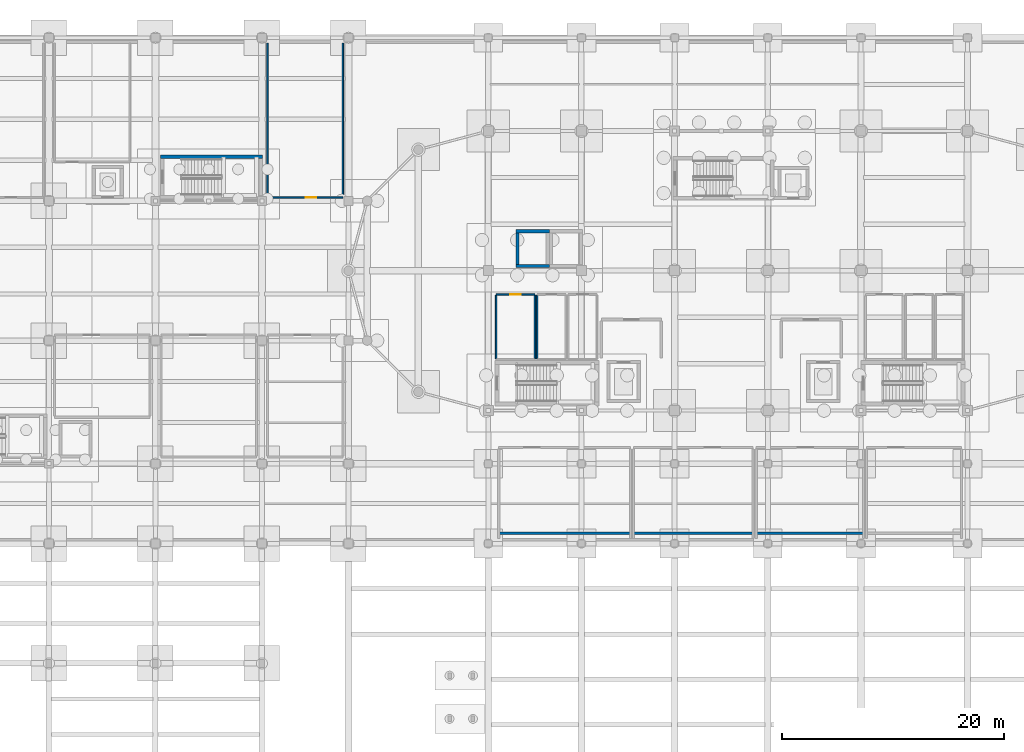
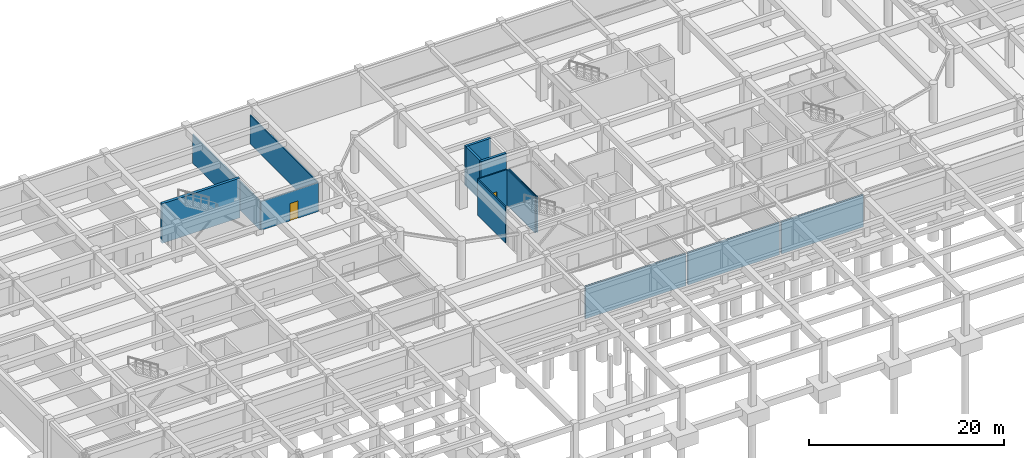
# One storey, part 22 of 37: 14 walls, 2 doors, 2 openings.
"""IFC4 building model written with IfcOpenShell, lengths in metres."""

from ifc_helpers import new_model, si_unit, direction, frame, frame_2d, origin, place, context, subcontext, project, spatial, rectangle, extrude, material, layer, layer_set, type_object, element, fill, save


model = new_model("IFC4")

# Units and contexts
model_context = context("Model", 3, precision=1e-05, world=origin(), true_north=direction((0.0, 1.0)))
body_context = subcontext(model_context, "Body", "Model", "MODEL_VIEW")
ifc_project = project(units=[si_unit("LENGTHUNIT", "METRE"), si_unit("AREAUNIT", "SQUARE_METRE"), si_unit("VOLUMEUNIT", "CUBIC_METRE"), si_unit("PLANEANGLEUNIT", "RADIAN"), si_unit("MASSUNIT", "GRAM", prefix="KILO")], contexts=[model_context])

# Site, building, storey
site_placement = place(None, origin())
site = spatial("IfcSite", under=ifc_project, at=site_placement, CompositionType="ELEMENT")
building_placement = place(site_placement, origin())
building = spatial("IfcBuilding", under=site, at=building_placement, Name="Tarnavel Promenade Courthouse", CompositionType="ELEMENT")
storey_placement = place(building_placement, frame((0.0, 0.0, -4.800048828125)))
storey = spatial("IfcBuildingStorey", under=building, at=storey_placement, Name="B01", CompositionType="ELEMENT", Elevation=-4.800048828125)

# Walls
ifc_material_1 = material(Name="Concrete C40/50", Category="concrete")
ifc_layer_1 = layer(ifc_material_1, 0.280029296875)
ifc_layer_set_1 = layer_set([ifc_layer_1], Name="Concrete C40/50")
wall_type_1 = type_object("IfcWallType", Name="Concrete C40/50 WL-SHR-280 (280 mm)", PredefinedType="SHEAR", material=ifc_layer_set_1)
for number, where, z_axis, x_axis, name in (
    (1, (61.300048828125, 95.360107421875, -0.419921875), (0.0, 0.0, 1.0), (1.0, 0.0, 0.0), "B01 L-PUB1 Lift Shaft North Wall"),
    (2, (64.300048828125, 92.239990234375, -0.419921875), (0.0, 0.0, 1.0), (-1.0, 0.0, 0.0), "B01 L-PUB1 Lift Shaft South Wall"),
):
    element("IfcWall", number, at=place(storey_placement, frame(where, z_axis=z_axis, x_axis=x_axis)), inside=storey, type_object=wall_type_1, Name=name, PredefinedType="SHEAR", context=body_context, shape_type="SweptSolid", body=[
        extrude(rectangle(XDim=3.0, YDim=0.280029296875, at=frame_2d((1.5, 0.0))), origin(), (0.0, 0.0, 1.0), 4.93994140625),
    ])
wall_1_placement = place(storey_placement, frame((61.43994140625, 92.3798828125, -0.419921875), z_axis=(0.0, 0.0, 1.0), x_axis=(0.0, 1.0, 0.0)))
element("IfcWall", 3, at=wall_1_placement, inside=storey, type_object=wall_type_1, Name="B01 L-PUB1 Lift Shaft West Wall", PredefinedType="SHEAR", context=body_context, shape_type="SweptSolid", body=[
    extrude(rectangle(XDim=2.840087890625, YDim=0.280029296875, at=frame_2d((1.419921875, 0.0))), origin(), (0.0, 0.0, 1.0), 4.93994140625),
])
ifc_layer_2 = layer(ifc_material_1, 0.320068359375)
ifc_layer_set_2 = layer_set([ifc_layer_2], Name="Concrete C40/50")
wall_type_2 = type_object("IfcWallType", Name="Concrete C40/50 WL-SHR-320 (320 mm)", PredefinedType="SHEAR", material=ifc_layer_set_2)
wall_2_placement = place(storey_placement, frame((29.260009765625, 102.06005859375, -0.419921875), z_axis=(0.0, 0.0, 1.0), x_axis=(1.0, 0.0, 0.0)))
element("IfcWall", 4, at=wall_2_placement, inside=storey, type_object=wall_type_2, Name="B01 ST-07 Shear Core North Wall", PredefinedType="SHEAR", context=body_context, shape_type="SweptSolid", body=[
    extrude(rectangle(XDim=9.179931640625, YDim=0.320068359375, at=frame_2d((4.58984375, 0.0))), origin(), (0.0, 0.0, 1.0), 4.93994140625),
])
ifc_material_2 = material(Name="Concrete Masonry Fire Compartment Wall", Category="masonry")
ifc_layer_3 = layer(ifc_material_2, 0.205078125)
ifc_layer_set_3 = layer_set([ifc_layer_3], Name="Concrete Masonry Fire Compartment Wall")
wall_type_3 = type_object("IfcWallType", Name="Concrete Masonry Fire Compartment Wall WL-CMP-205 (205 mm)", PredefinedType="STANDARD", material=ifc_layer_set_3)
wall_3_placement = place(storey_placement, frame((71.617919921875, 68.139892578125, 0.0), z_axis=(0.0, 0.0, 1.0), x_axis=(-1.0, 0.0, 0.0)))
element("IfcWall", 5, at=wall_3_placement, inside=storey, type_object=wall_type_3, Name="B01 Chiller and District Heating Substation Plant Room Partition 0058", PredefinedType="STANDARD", context=body_context, shape_type="SweptSolid", body=[
    extrude(rectangle(XDim=11.8779296875, YDim=0.205078125, at=frame_2d((5.93896484375, 0.0))), origin(), (0.0, 0.0, 1.0), 4.0),
])
wall_4_placement = place(storey_placement, frame((82.6708984375, 68.139892578125, 0.0), z_axis=(0.0, 0.0, 1.0), x_axis=(-1.0, 0.0, 0.0)))
element("IfcWall", 6, at=wall_4_placement, inside=storey, type_object=wall_type_3, Name="B01 Emergency Generator Hall Partition 0062", PredefinedType="STANDARD", context=body_context, shape_type="SweptSolid", body=[
    extrude(rectangle(XDim=10.77294921875, YDim=0.205078125, at=frame_2d((5.386474609375, 0.0))), origin(), (0.0, 0.0, 1.0), 4.0),
])
wall_5_placement = place(storey_placement, frame((92.617919921875, 68.139892578125, 0.0), z_axis=(0.0, 0.0, 1.0), x_axis=(-1.0, 0.0, 0.0)))
element("IfcWall", 7, at=wall_5_placement, inside=storey, type_object=wall_type_3, Name="B01 Electrical Transformer Substation Room Partition 0066", PredefinedType="STANDARD", context=body_context, shape_type="SweptSolid", body=[
    extrude(rectangle(XDim=9.6669921875, YDim=0.205078125, at=frame_2d((4.83349609375, 0.0))), origin(), (0.0, 0.0, 1.0), 4.0),
])

# Wall, opening, door
ifc_material_3 = material(Name="Metal-Stud Acoustic Gypsum Partition", Category="gypsum")
ifc_layer_4 = layer(ifc_material_3, 0.135009765625)
ifc_layer_set_4 = layer_set([ifc_layer_4], Name="Metal-Stud Acoustic Gypsum Partition")
wall_type_4 = type_object("IfcWallType", Name="Metal-Stud Acoustic Gypsum Partition WL-OFF-135 (135 mm)", PredefinedType="PARTITIONING", material=ifc_layer_set_4)
wall_6_placement = place(storey_placement, frame((59.5, 89.64990234375, 0.0), z_axis=(0.0, 0.0, 1.0), x_axis=(1.0, 0.0, 0.0)))
wall_6 = element("IfcWall", 8, at=wall_6_placement, inside=storey, type_object=wall_type_4, Name="B01 B01 Bailiffs' Duty Room Partition 0023", PredefinedType="PARTITIONING", context=body_context, shape_type="SweptSolid", body=[
    extrude(rectangle(XDim=3.5, YDim=0.135009765625, at=frame_2d((1.75, 0.0))), origin(), (0.0, 0.0, 1.0), 4.505126953125),
])
opening_1_placement = place(wall_6_placement, frame((1.27490234375, 0.0, 0.0)))
opening_1 = element("IfcOpeningElement", 9, at=opening_1_placement, cuts=wall_6, Name="Opening ID-06", PredefinedType="OPENING", context=body_context, shape_type="SweptSolid", body=[
    extrude(rectangle(XDim=0.949951171875, YDim=2.14990234375, at=frame_2d((0.47509765625, 1.074951171875))), frame((0.0, 0.077392578125, 0.0), z_axis=(0.0, -1.0, 0.0), x_axis=(1.0, 0.0, 0.0)), (0.0, 0.0, 1.0), 0.155029296875),
])
ifc_material_4 = material(Name="Acoustic Timber Veneer Office Door", Category="wood")
door_type = type_object("IfcDoorType", Name="Acoustic Timber Veneer Office Door (DR-OFF-0950x2150)", OperationType="NOTDEFINED", PredefinedType="DOOR", material=ifc_material_4)
door_1_placement = place(opening_1_placement, origin())
door_1 = element("IfcDoor", 10, at=door_1_placement, inside=storey, type_object=door_type, Name="B01 B01 Bailiffs' Duty Room Door 0007", OperationType="SINGLE_SWING_LEFT", OverallHeight=2.14990234375, OverallWidth=0.949951171875, PredefinedType="DOOR", context=body_context, shape_type="SweptSolid", body=[
    extrude(rectangle(XDim=0.949951171875, YDim=2.14990234375, at=frame_2d((0.47509765625, 1.074951171875))), frame((0.0, 0.02490234375, 0.0), z_axis=(0.0, -1.0, 0.0), x_axis=(1.0, 0.0, 0.0)), (0.0, 0.0, 1.0), 0.050048828125),
])
fill(opening_1, door_1)

# Walls
for number, where, z_axis, x_axis, name in (
    (11, (59.5, 83.87744140625, 0.0), (0.0, 0.0, 1.0), (0.0, 1.0, 0.0), "B01 B01 Bailiffs' Duty Room Partition 0025"),
    (12, (63.0, 89.572509765625, 0.0), (0.0, 0.0, 1.0), (0.0, -1.0, 0.0), "B01 B01 Bailiffs' Duty Room Partition 0026"),
):
    element("IfcWall", number, at=place(storey_placement, frame(where, z_axis=z_axis, x_axis=x_axis)), inside=storey, type_object=wall_type_4, Name=name, PredefinedType="PARTITIONING", context=body_context, shape_type="SweptSolid", body=[
        extrude(rectangle(XDim=5.695068359375, YDim=0.135009765625, at=frame_2d((2.84765625, 0.0))), origin(), (0.0, 0.0, 1.0), 4.505126953125),
    ])

# Wall, opening, door
wall_7_placement = place(storey_placement, frame((45.699951171875, 98.39990234375, 0.0), z_axis=(0.0, 0.0, 1.0), x_axis=(-1.0, 0.0, 0.0)))
wall_7 = element("IfcWall", 13, at=wall_7_placement, inside=storey, type_object=wall_type_4, Name="B01 Judicial Car Park North Zone C Partition 0039", PredefinedType="PARTITIONING", context=body_context, shape_type="SweptSolid", body=[
    extrude(rectangle(XDim=6.800048828125, YDim=0.135009765625, at=frame_2d((3.39990234375, 0.0))), origin(), (0.0, 0.0, 1.0), 3.60009765625),
])
opening_2_placement = place(wall_7_placement, frame((2.409912109375, 0.0, 0.0)))
opening_2 = element("IfcOpeningElement", 14, at=opening_2_placement, cuts=wall_7, Name="Opening ID-06", PredefinedType="OPENING", context=body_context, shape_type="SweptSolid", body=[
    extrude(rectangle(XDim=0.949951171875, YDim=2.14990234375, at=frame_2d((0.47509765625, 1.074951171875))), frame((0.0, 0.077392578125, 0.0), z_axis=(0.0, -1.0, 0.0), x_axis=(1.0, 0.0, 0.0)), (0.0, 0.0, 1.0), 0.155029296875),
])
door_2_placement = place(opening_2_placement, origin())
door_2 = element("IfcDoor", 15, at=door_2_placement, inside=storey, type_object=door_type, Name="B01 Judicial Car Park North Zone C Door 0012", OperationType="SINGLE_SWING_RIGHT", OverallHeight=2.14990234375, OverallWidth=0.949951171875, PredefinedType="DOOR", context=body_context, shape_type="SweptSolid", body=[
    extrude(rectangle(XDim=0.949951171875, YDim=2.14990234375, at=frame_2d((0.47509765625, 1.074951171875))), frame((0.0, 0.02490234375, 0.0), z_axis=(0.0, -1.0, 0.0), x_axis=(1.0, 0.0, 0.0)), (0.0, 0.0, 1.0), 0.050048828125),
])
fill(opening_2, door_2)

# Walls
for number, where, z_axis, x_axis, name in (
    (16, (38.89990234375, 98.4775390625, 0.0), (0.0, 0.0, 1.0), (0.0, 1.0, 0.0), "B01 Judicial Car Park North Zone C Partition 0040"),
    (17, (45.699951171875, 112.305908203125, 0.0), (0.0, 0.0, 1.0), (0.0, -1.0, 0.0), "B01 Judicial Car Park North Zone C Partition 0041"),
):
    element("IfcWall", number, at=place(storey_placement, frame(where, z_axis=z_axis, x_axis=x_axis)), inside=storey, type_object=wall_type_4, Name=name, PredefinedType="PARTITIONING", context=body_context, shape_type="SweptSolid", body=[
        extrude(rectangle(XDim=13.828369140625, YDim=0.135009765625, at=frame_2d((6.9140625, 0.0))), origin(), (0.0, 0.0, 1.0), 3.60009765625),
    ])
ifc_material_5 = material(Name="Moisture-Resistant Tile-Backed Stud Partition", Category="gypsum")
ifc_layer_5 = layer(ifc_material_5, 0.125)
ifc_layer_set_5 = layer_set([ifc_layer_5], Name="Moisture-Resistant Tile-Backed Stud Partition")
wall_type_5 = type_object("IfcWallType", Name="Moisture-Resistant Tile-Backed Stud Partition WL-WET-125 (125 mm)", PredefinedType="PARTITIONING", material=ifc_layer_set_5)
wall_8_placement = place(storey_placement, frame((63.199951171875, 83.87255859375, 0.0), z_axis=(0.0, 0.0, 1.0), x_axis=(0.0, 1.0, 0.0)))
element("IfcWall", 18, at=wall_8_placement, inside=storey, type_object=wall_type_5, Name="B01 Public WC Partition 0009", PredefinedType="PARTITIONING", context=body_context, shape_type="SweptSolid", body=[
    extrude(rectangle(XDim=5.704833984375, YDim=0.125, at=frame_2d((2.8525390625, 0.0))), origin(), (0.0, 0.0, 1.0), 4.505126953125),
])

save(model, "model.ifc")
